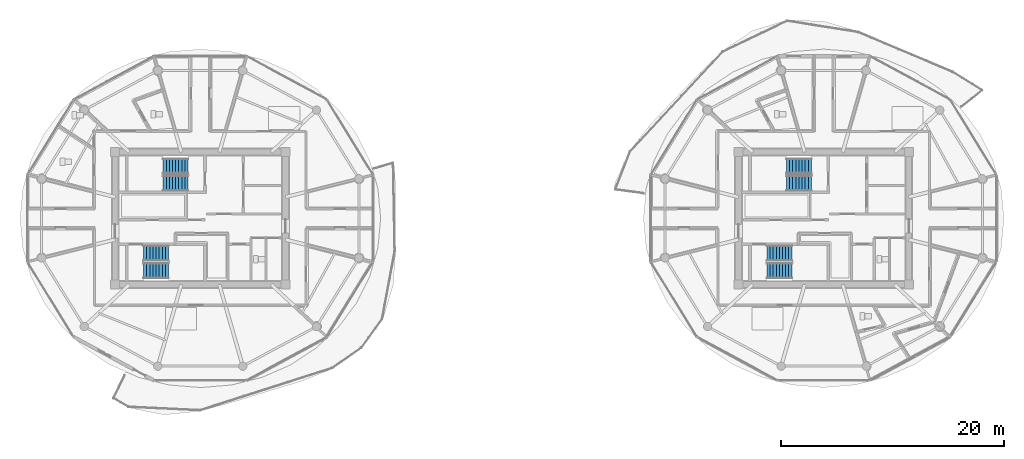
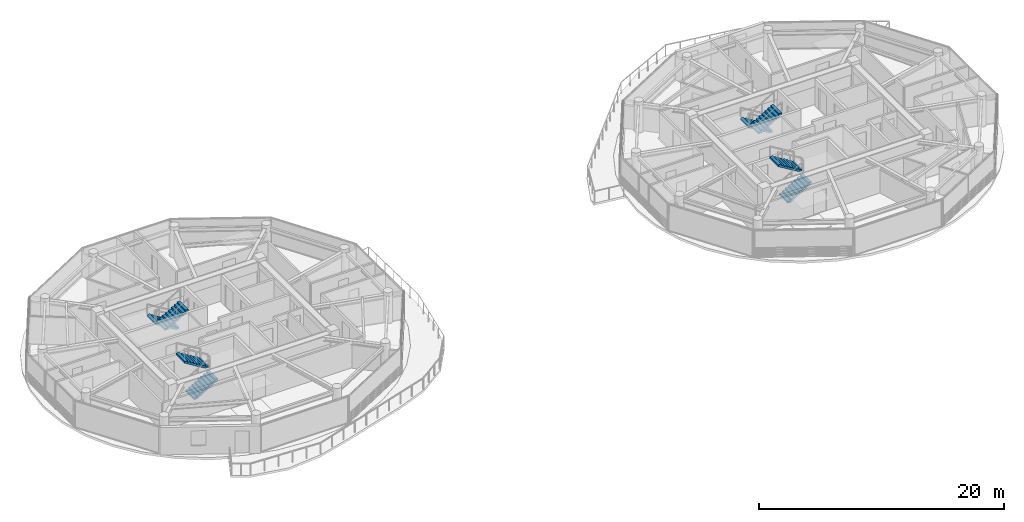
# One storey, part 14 of 21: 8 stair flights, 4 elements without a shape of their own.
"""IFC4 building model written with IfcOpenShell, lengths in metres."""

from ifc_helpers import new_model, si_unit, direction, frame, origin, place, context, subcontext, project, spatial, polyline, outline, extrude, material, type_object, element, aggregate, save


model = new_model("IFC4")

# Units and contexts
model_context = context("Model", 3, precision=1e-05, world=origin(), true_north=direction((0.0, 1.0)))
body_context = subcontext(model_context, "Body", "Model", "MODEL_VIEW")
ifc_project = project(units=[si_unit("LENGTHUNIT", "METRE"), si_unit("AREAUNIT", "SQUARE_METRE"), si_unit("VOLUMEUNIT", "CUBIC_METRE"), si_unit("PLANEANGLEUNIT", "RADIAN"), si_unit("MASSUNIT", "GRAM", prefix="KILO")], contexts=[model_context])

# Site, building, storey
site_placement = place(None, origin())
site = spatial("IfcSite", under=ifc_project, at=site_placement, CompositionType="ELEMENT")
building_placement = place(site_placement, origin())
building = spatial("IfcBuilding", under=site, at=building_placement, Name="Norrkilde Senior Care Towers", CompositionType="ELEMENT")
storey_placement = place(building_placement, frame((0.0, 0.0, 241.35009765625)))
storey = spatial("IfcBuildingStorey", under=building, at=storey_placement, Name="L75", CompositionType="ELEMENT", Elevation=241.35009765625)

# Stair, stair flights
ifc_material = material(Name="Concrete C45/55", Category="concrete")
stair_type = type_object("IfcStairType", Name="Core Protected Dogleg Stair Typical 3050", PredefinedType="HALF_TURN_STAIR", material=ifc_material)
stair_1_placement = place(storey_placement, origin())
stair_1 = element("IfcStair", 1, at=stair_1_placement, inside=storey, type_object=stair_type, Name="L75 Protected Core Stair W1", PredefinedType="HALF_TURN_STAIR")
stair_flight_type = type_object("IfcStairFlightType", Name="Core Protected Dogleg Stair Typical 3050 Flight", PredefinedType="STRAIGHT", material=ifc_material)
stair_flight_1_placement = place(storey_placement, frame((-29.10009765625, 4.699951171875, 0.0), z_axis=(0.0, 0.0, 1.0), x_axis=(-1.0, 0.0, 0.0)))
stair_flight_1 = element("IfcStairFlight", 2, at=stair_flight_1_placement, type_object=stair_flight_type, Name="ST-W1 flight 1", NumberOfRisers=9, NumberOfTreads=8, PredefinedType="STRAIGHT", RiserHeight=0.169444444, TreadLength=0.28, context=body_context, shape_type="SweptSolid", body=[
    extrude(outline(polyline([(0.0, 0.0), (0.0, 0.16943359375), (0.280029296875, 0.16943359375), (0.280029296875, 0.3388671875), (0.56005859375, 0.3388671875), (0.56005859375, 0.50830078125), (0.840087890625, 0.50830078125), (0.840087890625, 0.677734375), (1.1201171875, 0.677734375), (1.1201171875, 0.84716796875), (1.39990234375, 0.84716796875), (1.39990234375, 1.0166015625), (1.679931640625, 1.0166015625), (1.679931640625, 1.18603515625), (1.9599609375, 1.18603515625), (1.9599609375, 1.35546875), (2.239990234375, 1.35546875), (2.239990234375, 1.52490234375), (2.239990234375, 1.180419921875), (0.28955078125, 0.0), (0.0, 0.0)])), frame((0.0, 0.699951171875, 0.0), z_axis=(0.0, -1.0, 0.0), x_axis=(1.0, 0.0, 0.0)), (0.0, 0.0, 1.0), 1.39990234375),
])
stair_flight_2_placement = place(storey_placement, frame((-31.340087890625, 3.14990234375, 1.52490234375), z_axis=(0.0, 0.0, 1.0), x_axis=(1.0, 0.0, 0.0)))
stair_flight_2 = element("IfcStairFlight", 3, at=stair_flight_2_placement, type_object=stair_flight_type, Name="ST-W1 flight 2", NumberOfRisers=9, NumberOfTreads=8, PredefinedType="STRAIGHT", RiserHeight=0.169444444, TreadLength=0.28, context=body_context, shape_type="SweptSolid", body=[
    extrude(outline(polyline([(0.0, 0.0), (0.0, 0.16943359375), (0.280029296875, 0.16943359375), (0.280029296875, 0.3388671875), (0.56005859375, 0.3388671875), (0.56005859375, 0.50830078125), (0.840087890625, 0.50830078125), (0.840087890625, 0.677734375), (1.1201171875, 0.677734375), (1.1201171875, 0.84716796875), (1.39990234375, 0.84716796875), (1.39990234375, 1.0166015625), (1.679931640625, 1.0166015625), (1.679931640625, 1.18603515625), (1.9599609375, 1.18603515625), (1.9599609375, 1.35546875), (2.239990234375, 1.35546875), (2.239990234375, 1.52490234375), (2.239990234375, 1.180419921875), (0.28955078125, 0.0), (0.0, 0.0)])), frame((0.0, 0.699951171875, 0.0), z_axis=(0.0, -1.0, 0.0), x_axis=(1.0, 0.0, 0.0)), (0.0, 0.0, 1.0), 1.39990234375),
])
aggregate(stair_1, [stair_flight_1, stair_flight_2])

stair_2_placement = place(storey_placement, origin())
stair_2 = element("IfcStair", 4, at=stair_2_placement, inside=storey, type_object=stair_type, Name="L75 Protected Core Stair W2", PredefinedType="HALF_TURN_STAIR")
stair_flight_3_placement = place(storey_placement, frame((-33.10009765625, -4.699951171875, 0.0), z_axis=(0.0, 0.0, 1.0), x_axis=(1.0, 0.0, 0.0)))
stair_flight_3 = element("IfcStairFlight", 5, at=stair_flight_3_placement, type_object=stair_flight_type, Name="ST-W2 flight 1", NumberOfRisers=9, NumberOfTreads=8, PredefinedType="STRAIGHT", RiserHeight=0.169444444, TreadLength=0.28, context=body_context, shape_type="SweptSolid", body=[
    extrude(outline(polyline([(0.0, 0.0), (0.0, 0.16943359375), (0.280029296875, 0.16943359375), (0.280029296875, 0.3388671875), (0.56005859375, 0.3388671875), (0.56005859375, 0.50830078125), (0.840087890625, 0.50830078125), (0.840087890625, 0.677734375), (1.1201171875, 0.677734375), (1.1201171875, 0.84716796875), (1.39990234375, 0.84716796875), (1.39990234375, 1.0166015625), (1.679931640625, 1.0166015625), (1.679931640625, 1.18603515625), (1.9599609375, 1.18603515625), (1.9599609375, 1.35546875), (2.239990234375, 1.35546875), (2.239990234375, 1.52490234375), (2.239990234375, 1.180419921875), (0.28955078125, 0.0), (0.0, 0.0)])), frame((0.0, 0.699951171875, 0.0), z_axis=(0.0, -1.0, 0.0), x_axis=(1.0, 0.0, 0.0)), (0.0, 0.0, 1.0), 1.39990234375),
])
stair_flight_4_placement = place(storey_placement, frame((-30.860107421875, -3.14990234375, 1.52490234375), z_axis=(0.0, 0.0, 1.0), x_axis=(-1.0, 0.0, 0.0)))
stair_flight_4 = element("IfcStairFlight", 6, at=stair_flight_4_placement, type_object=stair_flight_type, Name="ST-W2 flight 2", NumberOfRisers=9, NumberOfTreads=8, PredefinedType="STRAIGHT", RiserHeight=0.169444444, TreadLength=0.28, context=body_context, shape_type="SweptSolid", body=[
    extrude(outline(polyline([(0.0, 0.0), (0.0, 0.16943359375), (0.280029296875, 0.16943359375), (0.280029296875, 0.3388671875), (0.56005859375, 0.3388671875), (0.56005859375, 0.50830078125), (0.840087890625, 0.50830078125), (0.840087890625, 0.677734375), (1.1201171875, 0.677734375), (1.1201171875, 0.84716796875), (1.39990234375, 0.84716796875), (1.39990234375, 1.0166015625), (1.679931640625, 1.0166015625), (1.679931640625, 1.18603515625), (1.9599609375, 1.18603515625), (1.9599609375, 1.35546875), (2.239990234375, 1.35546875), (2.239990234375, 1.52490234375), (2.239990234375, 1.180419921875), (0.28955078125, 0.0), (0.0, 0.0)])), frame((0.0, 0.699951171875, 0.0), z_axis=(0.0, -1.0, 0.0), x_axis=(1.0, 0.0, 0.0)), (0.0, 0.0, 1.0), 1.39990234375),
])
aggregate(stair_2, [stair_flight_3, stair_flight_4])

stair_3_placement = place(storey_placement, origin())
stair_3 = element("IfcStair", 7, at=stair_3_placement, inside=storey, type_object=stair_type, Name="L75 Protected Core Stair E1", PredefinedType="HALF_TURN_STAIR")
stair_flight_5_placement = place(storey_placement, frame((26.89990234375, 4.699951171875, 0.0), z_axis=(0.0, 0.0, 1.0), x_axis=(-1.0, 0.0, 0.0)))
stair_flight_5 = element("IfcStairFlight", 8, at=stair_flight_5_placement, type_object=stair_flight_type, Name="ST-E1 flight 1", NumberOfRisers=9, NumberOfTreads=8, PredefinedType="STRAIGHT", RiserHeight=0.169444444, TreadLength=0.28, context=body_context, shape_type="SweptSolid", body=[
    extrude(outline(polyline([(0.0, 0.0), (0.0, 0.16943359375), (0.280029296875, 0.16943359375), (0.280029296875, 0.3388671875), (0.56005859375, 0.3388671875), (0.56005859375, 0.50830078125), (0.840087890625, 0.50830078125), (0.840087890625, 0.677734375), (1.1201171875, 0.677734375), (1.1201171875, 0.84716796875), (1.39990234375, 0.84716796875), (1.39990234375, 1.0166015625), (1.679931640625, 1.0166015625), (1.679931640625, 1.18603515625), (1.9599609375, 1.18603515625), (1.9599609375, 1.35546875), (2.239990234375, 1.35546875), (2.239990234375, 1.52490234375), (2.239990234375, 1.180419921875), (0.28955078125, 0.0), (0.0, 0.0)])), frame((0.0, 0.699951171875, 0.0), z_axis=(0.0, -1.0, 0.0), x_axis=(1.0, 0.0, 0.0)), (0.0, 0.0, 1.0), 1.39990234375),
])
stair_flight_6_placement = place(storey_placement, frame((24.659912109375, 3.14990234375, 1.52490234375), z_axis=(0.0, 0.0, 1.0), x_axis=(1.0, 0.0, 0.0)))
stair_flight_6 = element("IfcStairFlight", 9, at=stair_flight_6_placement, type_object=stair_flight_type, Name="ST-E1 flight 2", NumberOfRisers=9, NumberOfTreads=8, PredefinedType="STRAIGHT", RiserHeight=0.169444444, TreadLength=0.28, context=body_context, shape_type="SweptSolid", body=[
    extrude(outline(polyline([(0.0, 0.0), (0.0, 0.16943359375), (0.280029296875, 0.16943359375), (0.280029296875, 0.3388671875), (0.56005859375, 0.3388671875), (0.56005859375, 0.50830078125), (0.840087890625, 0.50830078125), (0.840087890625, 0.677734375), (1.1201171875, 0.677734375), (1.1201171875, 0.84716796875), (1.39990234375, 0.84716796875), (1.39990234375, 1.0166015625), (1.679931640625, 1.0166015625), (1.679931640625, 1.18603515625), (1.9599609375, 1.18603515625), (1.9599609375, 1.35546875), (2.239990234375, 1.35546875), (2.239990234375, 1.52490234375), (2.239990234375, 1.180419921875), (0.28955078125, 0.0), (0.0, 0.0)])), frame((0.0, 0.699951171875, 0.0), z_axis=(0.0, -1.0, 0.0), x_axis=(1.0, 0.0, 0.0)), (0.0, 0.0, 1.0), 1.39990234375),
])
aggregate(stair_3, [stair_flight_5, stair_flight_6])

stair_4_placement = place(storey_placement, origin())
stair_4 = element("IfcStair", 10, at=stair_4_placement, inside=storey, type_object=stair_type, Name="L75 Protected Core Stair E2", PredefinedType="HALF_TURN_STAIR")
stair_flight_7_placement = place(storey_placement, frame((22.89990234375, -4.699951171875, 0.0), z_axis=(0.0, 0.0, 1.0), x_axis=(1.0, 0.0, 0.0)))
stair_flight_7 = element("IfcStairFlight", 11, at=stair_flight_7_placement, type_object=stair_flight_type, Name="ST-E2 flight 1", NumberOfRisers=9, NumberOfTreads=8, PredefinedType="STRAIGHT", RiserHeight=0.169444444, TreadLength=0.28, context=body_context, shape_type="SweptSolid", body=[
    extrude(outline(polyline([(0.0, 0.0), (0.0, 0.16943359375), (0.280029296875, 0.16943359375), (0.280029296875, 0.3388671875), (0.56005859375, 0.3388671875), (0.56005859375, 0.50830078125), (0.840087890625, 0.50830078125), (0.840087890625, 0.677734375), (1.1201171875, 0.677734375), (1.1201171875, 0.84716796875), (1.39990234375, 0.84716796875), (1.39990234375, 1.0166015625), (1.679931640625, 1.0166015625), (1.679931640625, 1.18603515625), (1.9599609375, 1.18603515625), (1.9599609375, 1.35546875), (2.239990234375, 1.35546875), (2.239990234375, 1.52490234375), (2.239990234375, 1.180419921875), (0.28955078125, 0.0), (0.0, 0.0)])), frame((0.0, 0.699951171875, 0.0), z_axis=(0.0, -1.0, 0.0), x_axis=(1.0, 0.0, 0.0)), (0.0, 0.0, 1.0), 1.39990234375),
])
stair_flight_8_placement = place(storey_placement, frame((25.139892578125, -3.14990234375, 1.52490234375), z_axis=(0.0, 0.0, 1.0), x_axis=(-1.0, 0.0, 0.0)))
stair_flight_8 = element("IfcStairFlight", 12, at=stair_flight_8_placement, type_object=stair_flight_type, Name="ST-E2 flight 2", NumberOfRisers=9, NumberOfTreads=8, PredefinedType="STRAIGHT", RiserHeight=0.169444444, TreadLength=0.28, context=body_context, shape_type="SweptSolid", body=[
    extrude(outline(polyline([(0.0, 0.0), (0.0, 0.16943359375), (0.280029296875, 0.16943359375), (0.280029296875, 0.3388671875), (0.56005859375, 0.3388671875), (0.56005859375, 0.50830078125), (0.840087890625, 0.50830078125), (0.840087890625, 0.677734375), (1.1201171875, 0.677734375), (1.1201171875, 0.84716796875), (1.39990234375, 0.84716796875), (1.39990234375, 1.0166015625), (1.679931640625, 1.0166015625), (1.679931640625, 1.18603515625), (1.9599609375, 1.18603515625), (1.9599609375, 1.35546875), (2.239990234375, 1.35546875), (2.239990234375, 1.52490234375), (2.239990234375, 1.180419921875), (0.28955078125, 0.0), (0.0, 0.0)])), frame((0.0, 0.699951171875, 0.0), z_axis=(0.0, -1.0, 0.0), x_axis=(1.0, 0.0, 0.0)), (0.0, 0.0, 1.0), 1.39990234375),
])
aggregate(stair_4, [stair_flight_7, stair_flight_8])

save(model, "model.ifc")
